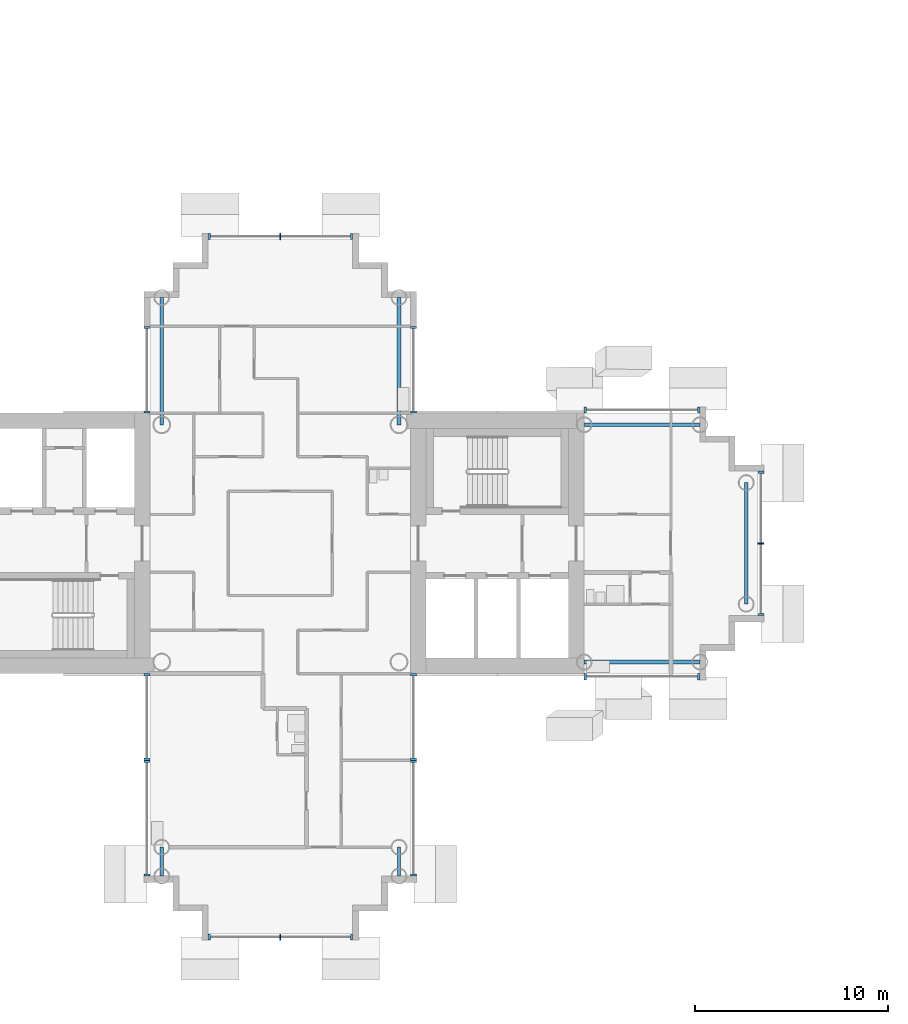
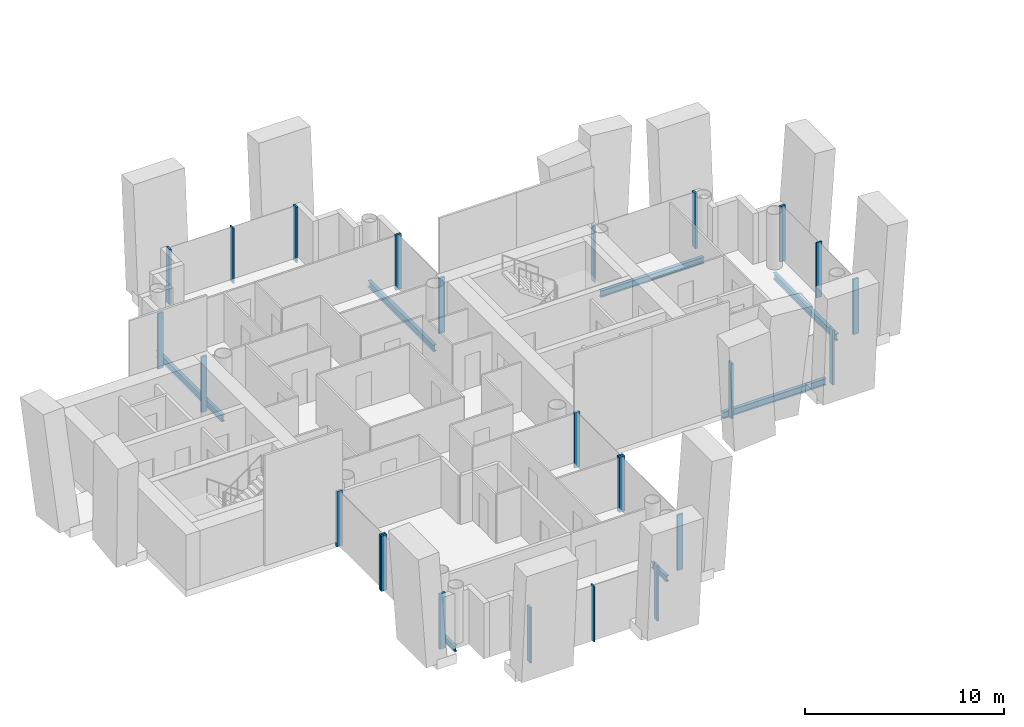
# One storey, part 3 of 18: 25 members, 7 beams, 11 elements without a shape of their own.
"""IFC4 building model written with IfcOpenShell, lengths in metres."""

from ifc_helpers import new_model, si_unit, direction, frame, origin, origin_2d, place, context, subcontext, project, spatial, rectangle, i_section, extrude, material, layer, layer_set, material_profile, profile_set, type_object, element, aggregate, save


model = new_model("IFC4")

# Units and contexts
model_context = context("Model", 3, precision=1e-05, world=origin(), true_north=direction((0.0, 1.0)))
body_context = subcontext(model_context, "Body", "Model", "MODEL_VIEW")
ifc_project = project(units=[si_unit("LENGTHUNIT", "METRE"), si_unit("AREAUNIT", "SQUARE_METRE"), si_unit("VOLUMEUNIT", "CUBIC_METRE"), si_unit("PLANEANGLEUNIT", "RADIAN"), si_unit("MASSUNIT", "GRAM", prefix="KILO")], contexts=[model_context])

# Site, building, storey
site_placement = place(None, origin())
site = spatial("IfcSite", under=ifc_project, at=site_placement, CompositionType="ELEMENT")
building_placement = place(site_placement, origin())
building = spatial("IfcBuilding", under=site, at=building_placement, Name="Ipe Terrace Towers", CompositionType="ELEMENT")
storey_placement = place(building_placement, frame((0.0, 0.0, 164.300048828125)))
storey = spatial("IfcBuildingStorey", under=building, at=storey_placement, Name="L45", CompositionType="ELEMENT", Elevation=164.300048828125)

# Beams
ifc_material_1 = material(Name="Steel S355", Category="steel")
ifc_material_profile_1 = material_profile(ifc_material_1, i_section(OverallWidth=0.175048828125, OverallDepth=0.35009765625, WebThickness=0.007080078125, FlangeThickness=0.010986328125, at=origin_2d()), Name="H-350x175x7x11")
ifc_profile_set_1 = profile_set([ifc_material_profile_1], Name="Steel S355")
beam_type_1 = type_object("IfcBeamType", Name="H04 EDGE BEAM H-350x175x7x11", PredefinedType="BEAM", material=ifc_profile_set_1)
for number, where, z_axis, x_axis, name in (
    (1, (-42.14990234375, -15.75, -0.574951171875), (0.0, -1.0, 0.0), (1.0, 0.0, 0.0), "Edge beam T1-EB-D03-D05"),
    (2, (-29.85009765625, -15.75, -0.574951171875), (0.0, -1.0, 0.0), (1.0, 0.0, 0.0), "Edge beam T1-EB-D04-D06"),
):
    element("IfcBeam", number, at=place(storey_placement, frame(where, z_axis=z_axis, x_axis=x_axis)), inside=storey, type_object=beam_type_1, Name=name, PredefinedType="BEAM", context=body_context, shape_type="SweptSolid", body=[
        extrude(i_section(OverallWidth=0.175048828125, OverallDepth=0.35009765625, WebThickness=0.007080078125, FlangeThickness=0.010986328125, at=origin_2d()), origin(), (0.0, 0.0, 1.0), 1.5),
    ])
ifc_material_2 = material(Name="Steel S355", Category="steel")
ifc_material_profile_2 = material_profile(ifc_material_2, i_section(OverallWidth=0.199951171875, OverallDepth=0.39990234375, WebThickness=0.008056640625, FlangeThickness=0.012939453125, at=origin_2d()), Name="H-400x200x8x13")
ifc_profile_set_2 = profile_set([ifc_material_profile_2], Name="Steel S355")
beam_type_2 = type_object("IfcBeamType", Name="H06 EDGE BEAM H-400x200x8x13", PredefinedType="BEAM", material=ifc_profile_set_2)
for number, where, z_axis, x_axis, name in (
    (3, (-20.25, -6.14990234375, -0.60009765625), (1.0, 0.0, 0.0), (0.0, 1.0, 0.0), "Edge beam T1-EB-A01-A03"),
    (4, (-20.25, 6.14990234375, -0.60009765625), (1.0, 0.0, 0.0), (0.0, 1.0, 0.0), "Edge beam T1-EB-A02-A04"),
):
    element("IfcBeam", number, at=place(storey_placement, frame(where, z_axis=z_axis, x_axis=x_axis)), inside=storey, type_object=beam_type_2, Name=name, PredefinedType="BEAM", context=body_context, shape_type="SweptSolid", body=[
        extrude(i_section(OverallWidth=0.199951171875, OverallDepth=0.39990234375, WebThickness=0.008056640625, FlangeThickness=0.012939453125, at=origin_2d()), origin(), (0.0, 0.0, 1.0), 6.0),
    ])
beam_placement = place(storey_placement, frame((-11.85009765625, -3.14990234375, -0.60009765625), z_axis=(0.0, 1.0, 0.0), x_axis=(-1.0, 0.0, 0.0)))
element("IfcBeam", 5, at=beam_placement, inside=storey, type_object=beam_type_2, Name="Edge beam T1-EB-A05-A06", PredefinedType="BEAM", context=body_context, shape_type="SweptSolid", body=[
    extrude(i_section(OverallWidth=0.199951171875, OverallDepth=0.39990234375, WebThickness=0.008056640625, FlangeThickness=0.012939453125, at=origin_2d()), origin(), (0.0, 0.0, 1.0), 6.2998046875),
])
for number, where, z_axis, x_axis, name in (
    (6, (-29.85009765625, 12.75, -0.60009765625), (0.0, -1.0, 0.0), (1.0, 0.0, 0.0), "Edge beam T1-EB-B01-E03"),
    (7, (-42.14990234375, 12.75, -0.60009765625), (0.0, -1.0, 0.0), (1.0, 0.0, 0.0), "Edge beam T1-EB-B02-E04"),
):
    element("IfcBeam", number, at=place(storey_placement, frame(where, z_axis=z_axis, x_axis=x_axis)), inside=storey, type_object=beam_type_2, Name=name, PredefinedType="BEAM", context=body_context, shape_type="SweptSolid", body=[
        extrude(i_section(OverallWidth=0.199951171875, OverallDepth=0.39990234375, WebThickness=0.008056640625, FlangeThickness=0.012939453125, at=origin_2d()), origin(), (0.0, 0.0, 1.0), 6.60009765625),
    ])

# Curtain wall, members
ifc_material_3 = material(Name="Aluminium alloy 6063-T6", Category="aluminium")
ifc_layer = layer(ifc_material_3, 0.320068359375)
ifc_layer_set = layer_set([ifc_layer], Name="TOWER UNITISED CURTAIN WALL")
curtain_wall_type = type_object("IfcCurtainWallType", Name="TOWER UNITISED CURTAIN WALL", PredefinedType="NOTDEFINED", material=ifc_layer_set)
curtain_wall_1_placement = place(storey_placement, origin())
curtain_wall_1 = element("IfcCurtainWall", 8, at=curtain_wall_1_placement, inside=storey, type_object=curtain_wall_type, Name="T1-CW-L45-02a curtain wall", PredefinedType="NOTDEFINED")
ifc_material_4 = material(Name="Aluminium alloy 6063-T6", Category="aluminium")
ifc_material_profile_3 = material_profile(ifc_material_4, rectangle(XDim=0.320068359375, YDim=0.1201171875, at=origin_2d()), Name="TOWER UNITISED CORNER MULLION 320 x 120")
ifc_profile_set_3 = profile_set([ifc_material_profile_3], Name="Aluminium alloy 6063-T6")
member_type_1 = type_object("IfcMemberType", Name="TOWER UNITISED CORNER MULLION 320 x 120", PredefinedType="MULLION", material=ifc_profile_set_3)
member_1_placement = place(storey_placement, frame((-42.909912109375, -6.81005859375, -0.300048828125), z_axis=(0.0, 0.0, 1.0), x_axis=(-1.0, 0.0, 0.0)))
member_1 = element("IfcMember", 9, at=member_1_placement, type_object=member_type_1, Name="T1-CW-L45-02a mullion 1", PredefinedType="MULLION", context=body_context, shape_type="SweptSolid", body=[
    extrude(rectangle(XDim=0.320068359375, YDim=0.1201171875, at=origin_2d()), origin(), (0.0, 0.0, 1.0), 3.39990234375),
])
member_2_placement = place(storey_placement, frame((-42.909912109375, -11.18994140625, -0.300048828125), z_axis=(0.0, 0.0, 1.0), x_axis=(-1.0, 0.0, 0.0)))
member_2 = element("IfcMember", 10, at=member_2_placement, type_object=member_type_1, Name="T1-CW-L45-02a mullion 2", PredefinedType="MULLION", context=body_context, shape_type="SweptSolid", body=[
    extrude(rectangle(XDim=0.320068359375, YDim=0.1201171875, at=origin_2d()), origin(), (0.0, 0.0, 1.0), 3.39990234375),
])
aggregate(curtain_wall_1, [member_1, member_2])

curtain_wall_2_placement = place(storey_placement, origin())
curtain_wall_2 = element("IfcCurtainWall", 11, at=curtain_wall_2_placement, inside=storey, type_object=curtain_wall_type, Name="T1-CW-L45-03a curtain wall", PredefinedType="NOTDEFINED")
member_3_placement = place(storey_placement, frame((-42.909912109375, -11.31005859375, -0.300048828125), z_axis=(0.0, 0.0, 1.0), x_axis=(-1.0, 0.0, 0.0)))
member_3 = element("IfcMember", 12, at=member_3_placement, type_object=member_type_1, Name="T1-CW-L45-03a mullion 1", PredefinedType="MULLION", context=body_context, shape_type="SweptSolid", body=[
    extrude(rectangle(XDim=0.320068359375, YDim=0.1201171875, at=origin_2d()), origin(), (0.0, 0.0, 1.0), 3.39990234375),
])
member_4_placement = place(storey_placement, frame((-42.909912109375, -17.18994140625, -0.300048828125), z_axis=(0.0, 0.0, 1.0), x_axis=(-1.0, 0.0, 0.0)))
member_4 = element("IfcMember", 13, at=member_4_placement, type_object=member_type_1, Name="T1-CW-L45-03a mullion 2", PredefinedType="MULLION", context=body_context, shape_type="SweptSolid", body=[
    extrude(rectangle(XDim=0.320068359375, YDim=0.1201171875, at=origin_2d()), origin(), (0.0, 0.0, 1.0), 3.39990234375),
])
aggregate(curtain_wall_2, [member_3, member_4])

curtain_wall_3_placement = place(storey_placement, origin())
curtain_wall_3 = element("IfcCurtainWall", 14, at=curtain_wall_3_placement, inside=storey, type_object=curtain_wall_type, Name="T1-CW-L45-08a curtain wall", PredefinedType="NOTDEFINED")
member_5_placement = place(storey_placement, frame((-39.68994140625, -20.409912109375, -0.300048828125), z_axis=(0.0, 0.0, 1.0), x_axis=(0.0, -1.0, 0.0)))
member_5 = element("IfcMember", 15, at=member_5_placement, type_object=member_type_1, Name="T1-CW-L45-08a mullion 1", PredefinedType="MULLION", context=body_context, shape_type="SweptSolid", body=[
    extrude(rectangle(XDim=0.320068359375, YDim=0.1201171875, at=origin_2d()), origin(), (0.0, 0.0, 1.0), 3.39990234375),
])
member_6_placement = place(storey_placement, frame((-32.31005859375, -20.409912109375, -0.300048828125), z_axis=(0.0, 0.0, 1.0), x_axis=(0.0, -1.0, 0.0)))
member_6 = element("IfcMember", 16, at=member_6_placement, type_object=member_type_1, Name="T1-CW-L45-08a mullion 3", PredefinedType="MULLION", context=body_context, shape_type="SweptSolid", body=[
    extrude(rectangle(XDim=0.320068359375, YDim=0.1201171875, at=origin_2d()), origin(), (0.0, 0.0, 1.0), 3.39990234375),
])

curtain_wall_4_placement = place(storey_placement, origin())
curtain_wall_4 = element("IfcCurtainWall", 17, at=curtain_wall_4_placement, inside=storey, type_object=curtain_wall_type, Name="T1-CW-L45-13a curtain wall", PredefinedType="NOTDEFINED")
member_7_placement = place(storey_placement, frame((-29.090087890625, -17.18994140625, -0.300048828125), z_axis=(0.0, 0.0, 1.0), x_axis=(1.0, 0.0, 0.0)))
member_7 = element("IfcMember", 18, at=member_7_placement, type_object=member_type_1, Name="T1-CW-L45-13a mullion 1", PredefinedType="MULLION", context=body_context, shape_type="SweptSolid", body=[
    extrude(rectangle(XDim=0.320068359375, YDim=0.1201171875, at=origin_2d()), origin(), (0.0, 0.0, 1.0), 3.39990234375),
])
member_8_placement = place(storey_placement, frame((-29.090087890625, -11.31005859375, -0.300048828125), z_axis=(0.0, 0.0, 1.0), x_axis=(1.0, 0.0, 0.0)))
member_8 = element("IfcMember", 19, at=member_8_placement, type_object=member_type_1, Name="T1-CW-L45-13a mullion 2", PredefinedType="MULLION", context=body_context, shape_type="SweptSolid", body=[
    extrude(rectangle(XDim=0.320068359375, YDim=0.1201171875, at=origin_2d()), origin(), (0.0, 0.0, 1.0), 3.39990234375),
])
aggregate(curtain_wall_4, [member_7, member_8])

curtain_wall_5_placement = place(storey_placement, origin())
curtain_wall_5 = element("IfcCurtainWall", 20, at=curtain_wall_5_placement, inside=storey, type_object=curtain_wall_type, Name="T1-CW-L45-14a curtain wall", PredefinedType="NOTDEFINED")
member_9_placement = place(storey_placement, frame((-29.090087890625, -11.18994140625, -0.300048828125), z_axis=(0.0, 0.0, 1.0), x_axis=(1.0, 0.0, 0.0)))
member_9 = element("IfcMember", 21, at=member_9_placement, type_object=member_type_1, Name="T1-CW-L45-14a mullion 1", PredefinedType="MULLION", context=body_context, shape_type="SweptSolid", body=[
    extrude(rectangle(XDim=0.320068359375, YDim=0.1201171875, at=origin_2d()), origin(), (0.0, 0.0, 1.0), 3.39990234375),
])
member_10_placement = place(storey_placement, frame((-29.090087890625, -6.81005859375, -0.300048828125), z_axis=(0.0, 0.0, 1.0), x_axis=(1.0, 0.0, 0.0)))
member_10 = element("IfcMember", 22, at=member_10_placement, type_object=member_type_1, Name="T1-CW-L45-14a mullion 2", PredefinedType="MULLION", context=body_context, shape_type="SweptSolid", body=[
    extrude(rectangle(XDim=0.320068359375, YDim=0.1201171875, at=origin_2d()), origin(), (0.0, 0.0, 1.0), 3.39990234375),
])
aggregate(curtain_wall_5, [member_9, member_10])

curtain_wall_6_placement = place(storey_placement, origin())
curtain_wall_6 = element("IfcCurtainWall", 23, at=curtain_wall_6_placement, inside=storey, type_object=curtain_wall_type, Name="T1-CW-L45-16b curtain wall", PredefinedType="NOTDEFINED")
member_11_placement = place(storey_placement, frame((-20.18896484375, -6.909912109375, -0.300048828125), z_axis=(0.0, 0.0, 1.0), x_axis=(0.0, -1.0, 0.0)))
member_11 = element("IfcMember", 24, at=member_11_placement, type_object=member_type_1, Name="T1-CW-L45-16b mullion 1", PredefinedType="MULLION", context=body_context, shape_type="SweptSolid", body=[
    extrude(rectangle(XDim=0.320068359375, YDim=0.1201171875, at=origin_2d()), origin(), (0.0, 0.0, 1.0), 3.39990234375),
])
member_12_placement = place(storey_placement, frame((-14.31005859375, -6.909912109375, -0.300048828125), z_axis=(0.0, 0.0, 1.0), x_axis=(0.0, -1.0, 0.0)))
member_12 = element("IfcMember", 25, at=member_12_placement, type_object=member_type_1, Name="T1-CW-L45-16b mullion 2", PredefinedType="MULLION", context=body_context, shape_type="SweptSolid", body=[
    extrude(rectangle(XDim=0.320068359375, YDim=0.1201171875, at=origin_2d()), origin(), (0.0, 0.0, 1.0), 3.39990234375),
])
aggregate(curtain_wall_6, [member_11, member_12])

curtain_wall_7_placement = place(storey_placement, origin())
curtain_wall_7 = element("IfcCurtainWall", 26, at=curtain_wall_7_placement, inside=storey, type_object=curtain_wall_type, Name="T1-CW-L45-21a curtain wall", PredefinedType="NOTDEFINED")
member_13_placement = place(storey_placement, frame((-11.090087890625, -3.68994140625, -0.300048828125), z_axis=(0.0, 0.0, 1.0), x_axis=(1.0, 0.0, 0.0)))
member_13 = element("IfcMember", 27, at=member_13_placement, type_object=member_type_1, Name="T1-CW-L45-21a mullion 1", PredefinedType="MULLION", context=body_context, shape_type="SweptSolid", body=[
    extrude(rectangle(XDim=0.320068359375, YDim=0.1201171875, at=origin_2d()), origin(), (0.0, 0.0, 1.0), 3.39990234375),
])
member_14_placement = place(storey_placement, frame((-11.090087890625, 3.68994140625, -0.300048828125), z_axis=(0.0, 0.0, 1.0), x_axis=(1.0, 0.0, 0.0)))
member_14 = element("IfcMember", 28, at=member_14_placement, type_object=member_type_1, Name="T1-CW-L45-21a mullion 3", PredefinedType="MULLION", context=body_context, shape_type="SweptSolid", body=[
    extrude(rectangle(XDim=0.320068359375, YDim=0.1201171875, at=origin_2d()), origin(), (0.0, 0.0, 1.0), 3.39990234375),
])

curtain_wall_8_placement = place(storey_placement, origin())
curtain_wall_8 = element("IfcCurtainWall", 29, at=curtain_wall_8_placement, inside=storey, type_object=curtain_wall_type, Name="T1-CW-L45-26a curtain wall", PredefinedType="NOTDEFINED")
member_15_placement = place(storey_placement, frame((-14.31005859375, 6.909912109375, -0.300048828125), z_axis=(0.0, 0.0, 1.0), x_axis=(0.0, 1.0, 0.0)))
member_15 = element("IfcMember", 30, at=member_15_placement, type_object=member_type_1, Name="T1-CW-L45-26a mullion 1", PredefinedType="MULLION", context=body_context, shape_type="SweptSolid", body=[
    extrude(rectangle(XDim=0.320068359375, YDim=0.1201171875, at=origin_2d()), origin(), (0.0, 0.0, 1.0), 3.39990234375),
])
member_16_placement = place(storey_placement, frame((-20.18896484375, 6.909912109375, -0.300048828125), z_axis=(0.0, 0.0, 1.0), x_axis=(0.0, 1.0, 0.0)))
member_16 = element("IfcMember", 31, at=member_16_placement, type_object=member_type_1, Name="T1-CW-L45-26a mullion 2", PredefinedType="MULLION", context=body_context, shape_type="SweptSolid", body=[
    extrude(rectangle(XDim=0.320068359375, YDim=0.1201171875, at=origin_2d()), origin(), (0.0, 0.0, 1.0), 3.39990234375),
])
aggregate(curtain_wall_8, [member_15, member_16])

curtain_wall_9_placement = place(storey_placement, origin())
curtain_wall_9 = element("IfcCurtainWall", 32, at=curtain_wall_9_placement, inside=storey, type_object=curtain_wall_type, Name="T1-CW-L45-28a curtain wall", PredefinedType="NOTDEFINED")
member_17_placement = place(storey_placement, frame((-29.090087890625, 6.81005859375, -0.300048828125), z_axis=(0.0, 0.0, 1.0), x_axis=(1.0, 0.0, 0.0)))
member_17 = element("IfcMember", 33, at=member_17_placement, type_object=member_type_1, Name="T1-CW-L45-28a mullion 1", PredefinedType="MULLION", context=body_context, shape_type="SweptSolid", body=[
    extrude(rectangle(XDim=0.320068359375, YDim=0.1201171875, at=origin_2d()), origin(), (0.0, 0.0, 1.0), 3.39990234375),
])
member_18_placement = place(storey_placement, frame((-29.090087890625, 11.18994140625, -0.300048828125), z_axis=(0.0, 0.0, 1.0), x_axis=(1.0, 0.0, 0.0)))
member_18 = element("IfcMember", 34, at=member_18_placement, type_object=member_type_1, Name="T1-CW-L45-28a mullion 2", PredefinedType="MULLION", context=body_context, shape_type="SweptSolid", body=[
    extrude(rectangle(XDim=0.320068359375, YDim=0.1201171875, at=origin_2d()), origin(), (0.0, 0.0, 1.0), 3.39990234375),
])
aggregate(curtain_wall_9, [member_17, member_18])

curtain_wall_10_placement = place(storey_placement, origin())
curtain_wall_10 = element("IfcCurtainWall", 35, at=curtain_wall_10_placement, inside=storey, type_object=curtain_wall_type, Name="T1-CW-L45-34a curtain wall", PredefinedType="NOTDEFINED")
member_19_placement = place(storey_placement, frame((-32.31005859375, 15.909912109375, -0.300048828125), z_axis=(0.0, 0.0, 1.0), x_axis=(0.0, 1.0, 0.0)))
member_19 = element("IfcMember", 36, at=member_19_placement, type_object=member_type_1, Name="T1-CW-L45-34a mullion 1", PredefinedType="MULLION", context=body_context, shape_type="SweptSolid", body=[
    extrude(rectangle(XDim=0.320068359375, YDim=0.1201171875, at=origin_2d()), origin(), (0.0, 0.0, 1.0), 3.39990234375),
])
member_20_placement = place(storey_placement, frame((-39.68994140625, 15.909912109375, -0.300048828125), z_axis=(0.0, 0.0, 1.0), x_axis=(0.0, 1.0, 0.0)))
member_20 = element("IfcMember", 37, at=member_20_placement, type_object=member_type_1, Name="T1-CW-L45-34a mullion 3", PredefinedType="MULLION", context=body_context, shape_type="SweptSolid", body=[
    extrude(rectangle(XDim=0.320068359375, YDim=0.1201171875, at=origin_2d()), origin(), (0.0, 0.0, 1.0), 3.39990234375),
])

curtain_wall_11_placement = place(storey_placement, origin())
curtain_wall_11 = element("IfcCurtainWall", 38, at=curtain_wall_11_placement, inside=storey, type_object=curtain_wall_type, Name="T1-CW-L45-40a curtain wall", PredefinedType="NOTDEFINED")
member_21_placement = place(storey_placement, frame((-42.909912109375, 11.18994140625, -0.300048828125), z_axis=(0.0, 0.0, 1.0), x_axis=(-1.0, 0.0, 0.0)))
member_21 = element("IfcMember", 39, at=member_21_placement, type_object=member_type_1, Name="T1-CW-L45-40a mullion 1", PredefinedType="MULLION", context=body_context, shape_type="SweptSolid", body=[
    extrude(rectangle(XDim=0.320068359375, YDim=0.1201171875, at=origin_2d()), origin(), (0.0, 0.0, 1.0), 3.39990234375),
])
member_22_placement = place(storey_placement, frame((-42.909912109375, 6.81005859375, -0.300048828125), z_axis=(0.0, 0.0, 1.0), x_axis=(-1.0, 0.0, 0.0)))
member_22 = element("IfcMember", 40, at=member_22_placement, type_object=member_type_1, Name="T1-CW-L45-40a mullion 2", PredefinedType="MULLION", context=body_context, shape_type="SweptSolid", body=[
    extrude(rectangle(XDim=0.320068359375, YDim=0.1201171875, at=origin_2d()), origin(), (0.0, 0.0, 1.0), 3.39990234375),
])
aggregate(curtain_wall_11, [member_21, member_22])

# Member
ifc_material_5 = material(Name="Aluminium alloy 6063-T6", Category="aluminium")
ifc_material_profile_4 = material_profile(ifc_material_5, rectangle(XDim=0.320068359375, YDim=0.06494140625, at=origin_2d()), Name="TOWER UNITISED MULLION 320 x 65")
ifc_profile_set_4 = profile_set([ifc_material_profile_4], Name="Aluminium alloy 6063-T6")
member_type_2 = type_object("IfcMemberType", Name="TOWER UNITISED MULLION 320 x 65", PredefinedType="MULLION", material=ifc_profile_set_4)
member_23_placement = place(storey_placement, frame((-36.0, -20.409912109375, -0.300048828125), z_axis=(0.0, 0.0, 1.0), x_axis=(0.0, -1.0, 0.0)))
member_23 = element("IfcMember", 41, at=member_23_placement, type_object=member_type_2, Name="T1-CW-L45-08a mullion 2", PredefinedType="MULLION", context=body_context, shape_type="SweptSolid", body=[
    extrude(rectangle(XDim=0.320068359375, YDim=0.06494140625, at=origin_2d()), origin(), (0.0, 0.0, 1.0), 3.39990234375),
])

aggregate(curtain_wall_3, [member_5, member_23, member_6])

member_24_placement = place(storey_placement, frame((-11.090087890625, 0.0, -0.300048828125), z_axis=(0.0, 0.0, 1.0), x_axis=(1.0, 0.0, 0.0)))
member_24 = element("IfcMember", 42, at=member_24_placement, type_object=member_type_2, Name="T1-CW-L45-21a mullion 2", PredefinedType="MULLION", context=body_context, shape_type="SweptSolid", body=[
    extrude(rectangle(XDim=0.320068359375, YDim=0.06494140625, at=origin_2d()), origin(), (0.0, 0.0, 1.0), 3.39990234375),
])

aggregate(curtain_wall_7, [member_13, member_24, member_14])

member_25_placement = place(storey_placement, frame((-36.0, 15.909912109375, -0.300048828125), z_axis=(0.0, 0.0, 1.0), x_axis=(0.0, 1.0, 0.0)))
member_25 = element("IfcMember", 43, at=member_25_placement, type_object=member_type_2, Name="T1-CW-L45-34a mullion 2", PredefinedType="MULLION", context=body_context, shape_type="SweptSolid", body=[
    extrude(rectangle(XDim=0.320068359375, YDim=0.06494140625, at=origin_2d()), origin(), (0.0, 0.0, 1.0), 3.39990234375),
])

aggregate(curtain_wall_10, [member_19, member_25, member_20])

save(model, "model.ifc")
